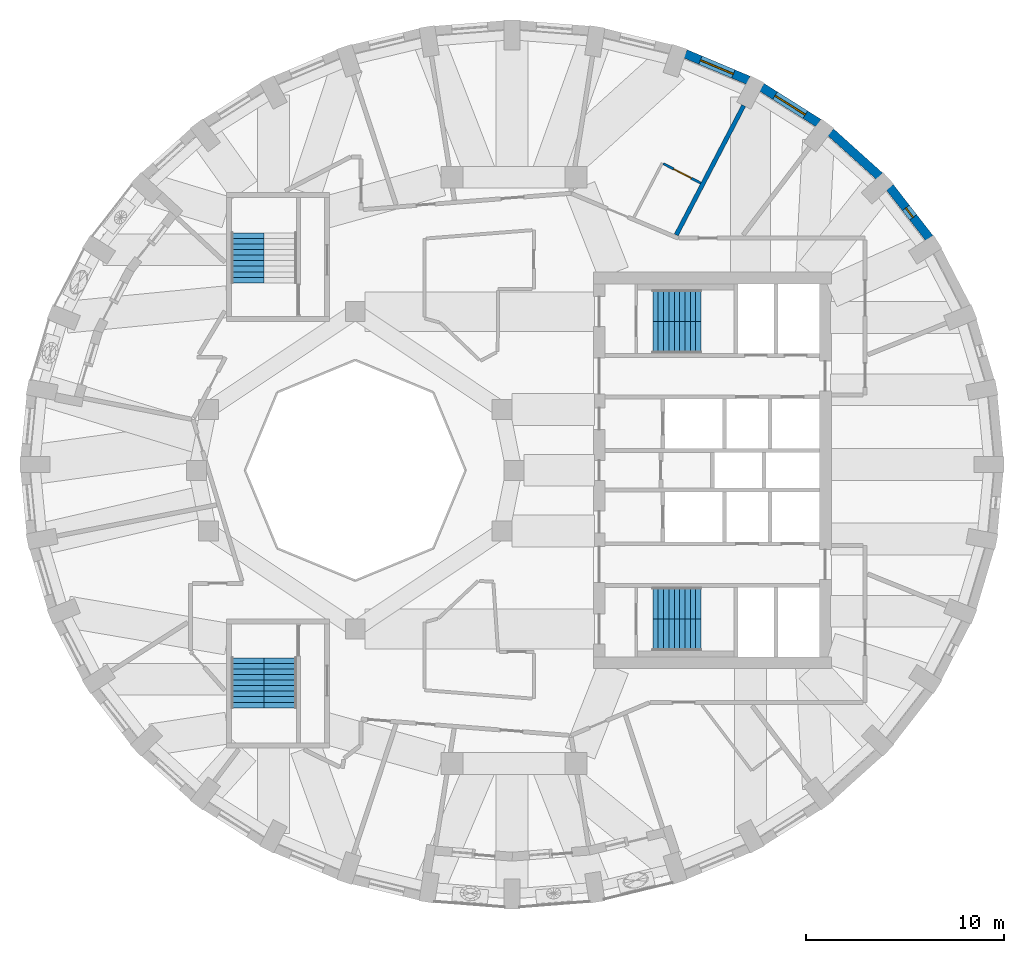
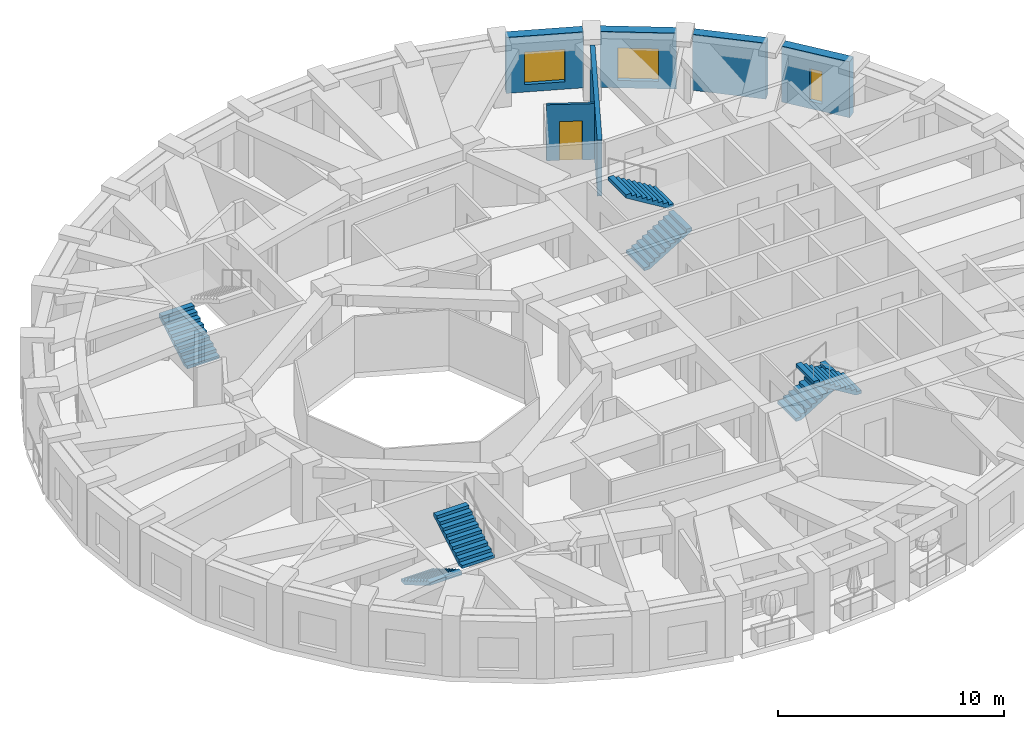
# One storey, part 8 of 12: 7 stair flights, 6 walls, 3 windows, 1 door, 4 openings, 4 elements without a shape of their own.
"""IFC4 building model written with IfcOpenShell, lengths in metres."""

from ifc_helpers import new_model, si_unit, direction, frame, frame_2d, origin, place, context, subcontext, project, spatial, polyline, rectangle, outline, extrude, material, layer, layer_set, type_object, element, fill, aggregate, save


model = new_model("IFC4")

# Units and contexts
model_context = context("Model", 3, precision=1e-05, world=origin(), true_north=direction((0.0, 1.0)))
body_context = subcontext(model_context, "Body", "Model", "MODEL_VIEW")
ifc_project = project(units=[si_unit("LENGTHUNIT", "METRE"), si_unit("AREAUNIT", "SQUARE_METRE"), si_unit("VOLUMEUNIT", "CUBIC_METRE"), si_unit("PLANEANGLEUNIT", "RADIAN"), si_unit("MASSUNIT", "GRAM", prefix="KILO")], contexts=[model_context])

# Site, building, storey
site_placement = place(None, origin())
site = spatial("IfcSite", under=ifc_project, at=site_placement, CompositionType="ELEMENT")
building_placement = place(site_placement, origin())
building = spatial("IfcBuilding", under=site, at=building_placement, Name="Taillehof Tower", CompositionType="ELEMENT")
storey_placement = place(building_placement, frame((0.0, 0.0, 249.800048828125)))
storey = spatial("IfcBuildingStorey", under=building, at=storey_placement, Name="L71", CompositionType="ELEMENT", Elevation=249.800048828125)

# Wall, opening, window
ifc_material_1 = material(Name="Brick masonry", Category="masonry")
ifc_layer_1 = layer(ifc_material_1, 0.449951171875)
ifc_layer_set_1 = layer_set([ifc_layer_1], Name="Brick infill wall 450")
wall_type_1 = type_object("IfcWallType", Name="Brick infill wall 450", PredefinedType="SOLIDWALL", material=ifc_layer_set_1)
wall_1_placement = place(storey_placement, frame((20.93505859375, 11.70849609375, 0.0), z_axis=(0.0, 0.0, 1.0), x_axis=(-0.613862536705, 0.789412937587, 0.0)))
wall_1 = element("IfcWall", 1, at=wall_1_placement, inside=storey, type_object=wall_type_1, Name="Brick wall L71 bay 4", PredefinedType="SOLIDWALL", context=body_context, shape_type="SweptSolid", body=[
    extrude(rectangle(XDim=3.247314453125, YDim=0.449951171875, at=frame_2d((1.62353515625, 0.0))), origin(), (0.0, 0.0, 1.0), 3.02001953125),
])
opening_1_placement = place(wall_1_placement, frame((1.32373046875, 0.0, 0.39990234375)))
opening_1 = element("IfcOpeningElement", 2, at=opening_1_placement, cuts=wall_1, Name="Opening W6", PredefinedType="OPENING", context=body_context, shape_type="SweptSolid", body=[
    extrude(rectangle(XDim=0.60009765625, YDim=1.75, at=frame_2d((0.300048828125, 0.875))), frame((0.0, 0.23486328125, 0.0), z_axis=(0.0, -1.0, 0.0), x_axis=(1.0, 0.0, 0.0)), (0.0, 0.0, 1.0), 0.469970703125),
])
ifc_material_2 = material(Name="Aluminium window frame with clear double glazing", Category="aluminium")
window_type_1 = type_object("IfcWindowType", Name="Slot window 600x1750", PartitioningType="SINGLE_PANEL", PredefinedType="WINDOW", material=ifc_material_2)
window_1_placement = place(opening_1_placement, origin())
window_1 = element("IfcWindow", 3, at=window_1_placement, inside=storey, type_object=window_type_1, Name="W6", OverallHeight=1.75, OverallWidth=0.60009765625, PartitioningType="SINGLE_PANEL", PredefinedType="WINDOW", context=body_context, shape_type="SweptSolid", body=[
    extrude(rectangle(XDim=0.60009765625, YDim=1.75, at=frame_2d((0.300048828125, 0.875))), frame((0.0, 0.034912109375, 0.0), z_axis=(0.0, -1.0, 0.0), x_axis=(1.0, 0.0, 0.0)), (0.0, 0.0, 1.0), 0.06005859375),
])
fill(opening_1, window_1)

# Wall
wall_2_placement = place(storey_placement, frame((18.423828125, 14.828369140625, 0.0), z_axis=(0.0, 0.0, 1.0), x_axis=(-0.743166014219, 0.669107073128, 0.0)))
element("IfcWall", 4, at=wall_2_placement, inside=storey, type_object=wall_type_1, Name="Brick wall L71 bay 5", PredefinedType="SOLIDWALL", context=body_context, shape_type="SweptSolid", body=[
    extrude(rectangle(XDim=3.31640625, YDim=0.449951171875, at=frame_2d((1.658203125, 0.0))), origin(), (0.0, 0.0, 1.0), 3.02001953125),
])

# Wall, opening, window
wall_3_placement = place(storey_placement, frame((15.35302734375, 17.506103515625, 0.0), z_axis=(0.0, 0.0, 1.0), x_axis=(-0.845929139811, 0.53329531258, 0.0)))
wall_3 = element("IfcWall", 5, at=wall_3_placement, inside=storey, type_object=wall_type_1, Name="Brick wall L71 bay 6", PredefinedType="SOLIDWALL", context=body_context, shape_type="SweptSolid", body=[
    extrude(rectangle(XDim=3.384521484375, YDim=0.449951171875, at=frame_2d((1.6923828125, 0.0))), origin(), (0.0, 0.0, 1.0), 3.02001953125),
])
opening_2_placement = place(wall_3_placement, frame((0.792236328125, 0.0, 0.39990234375)))
opening_2 = element("IfcOpeningElement", 6, at=opening_2_placement, cuts=wall_3, Name="Opening W4", PredefinedType="OPENING", context=body_context, shape_type="SweptSolid", body=[
    extrude(rectangle(XDim=1.800048828125, YDim=1.75, at=frame_2d((0.89990234375, 0.875))), frame((0.0, 0.23486328125, 0.0), z_axis=(0.0, -1.0, 0.0), x_axis=(1.0, 0.0, 0.0)), (0.0, 0.0, 1.0), 0.469970703125),
])
ifc_material_3 = material(Name="Aluminium window frame with clear double glazing", Category="aluminium")
window_type_2 = type_object("IfcWindowType", Name="Deep-set window 1800x1750", PartitioningType="SINGLE_PANEL", PredefinedType="WINDOW", material=ifc_material_3)
window_2_placement = place(opening_2_placement, origin())
window_2 = element("IfcWindow", 7, at=window_2_placement, inside=storey, type_object=window_type_2, Name="W4", OverallHeight=1.75, OverallWidth=1.800048828125, PartitioningType="SINGLE_PANEL", PredefinedType="WINDOW", context=body_context, shape_type="SweptSolid", body=[
    extrude(rectangle(XDim=1.800048828125, YDim=1.75, at=frame_2d((0.89990234375, 0.875))), frame((0.0, 0.034912109375, 0.0), z_axis=(0.0, -1.0, 0.0), x_axis=(1.0, 0.0, 0.0)), (0.0, 0.0, 1.0), 0.06005859375),
])
fill(opening_2, window_2)

wall_4_placement = place(storey_placement, frame((11.815673828125, 19.661865234375, 0.0), z_axis=(0.0, 0.0, 1.0), x_axis=(-0.922024627475, 0.387131226239, 0.0)))
wall_4 = element("IfcWall", 8, at=wall_4_placement, inside=storey, type_object=wall_type_1, Name="Brick wall L71 bay 7", PredefinedType="SOLIDWALL", context=body_context, shape_type="SweptSolid", body=[
    extrude(rectangle(XDim=3.443359375, YDim=0.449951171875, at=frame_2d((1.7216796875, 0.0))), origin(), (0.0, 0.0, 1.0), 3.02001953125),
])
opening_3_placement = place(wall_4_placement, frame((0.82177734375, 0.0, 0.39990234375)))
opening_3 = element("IfcOpeningElement", 9, at=opening_3_placement, cuts=wall_4, Name="Opening W4", PredefinedType="OPENING", context=body_context, shape_type="SweptSolid", body=[
    extrude(rectangle(XDim=1.800048828125, YDim=1.75, at=frame_2d((0.89990234375, 0.875))), frame((0.0, 0.23486328125, 0.0), z_axis=(0.0, -1.0, 0.0), x_axis=(1.0, 0.0, 0.0)), (0.0, 0.0, 1.0), 0.469970703125),
])
window_3_placement = place(opening_3_placement, origin())
window_3 = element("IfcWindow", 10, at=window_3_placement, inside=storey, type_object=window_type_2, Name="W4", OverallHeight=1.75, OverallWidth=1.800048828125, PartitioningType="SINGLE_PANEL", PredefinedType="WINDOW", context=body_context, shape_type="SweptSolid", body=[
    extrude(rectangle(XDim=1.800048828125, YDim=1.75, at=frame_2d((0.89990234375, 0.875))), frame((0.0, 0.034912109375, 0.0), z_axis=(0.0, -1.0, 0.0), x_axis=(1.0, 0.0, 0.0)), (0.0, 0.0, 1.0), 0.06005859375),
])
fill(opening_3, window_3)

# Wall
ifc_material_4 = material(Name="Gypsum board on double steel studs with mineral wool", Category="steel")
ifc_layer_2 = layer(ifc_material_4, 0.219970703125)
ifc_layer_set_2 = layer_set([ifc_layer_2], Name="Compartment wall guest room 220")
wall_type_2 = type_object("IfcWallType", Name="Compartment wall guest room 220", PredefinedType="PARTITIONING", material=ifc_layer_set_2)
wall_5_placement = place(storey_placement, frame((11.578125, 18.384521484375, 0.0), z_axis=(0.0, 0.0, 1.0), x_axis=(-0.462372875873, -0.886685583314, 0.0)))
element("IfcWall", 11, at=wall_5_placement, inside=storey, type_object=wall_type_2, Name="Compartment wall", PredefinedType="PARTITIONING", context=body_context, shape_type="SweptSolid", body=[
    extrude(rectangle(XDim=7.3447265625, YDim=0.219970703125, at=frame_2d((3.67236328125, 0.0))), origin(), (0.0, 0.0, 1.0), 3.02001953125),
])

# Wall, opening, door
ifc_material_5 = material(Name="Gypsum board on steel studs, moisture resistant", Category="steel")
ifc_layer_3 = layer(ifc_material_5, 0.1201171875)
ifc_layer_set_3 = layer_set([ifc_layer_3], Name="En-suite wall 120")
wall_type_3 = type_object("IfcWallType", Name="En-suite wall 120", PredefinedType="PARTITIONING", material=ifc_layer_set_3)
wall_6_placement = place(storey_placement, frame((7.52734375, 15.4609375, 0.0), z_axis=(0.0, 0.0, 1.0), x_axis=(0.88668701022, -0.462370139507, 0.0)))
wall_6 = element("IfcWall", 12, at=wall_6_placement, inside=storey, type_object=wall_type_3, Name="En-suite wall", PredefinedType="PARTITIONING", context=body_context, shape_type="SweptSolid", body=[
    extrude(rectangle(XDim=2.130126953125, YDim=0.1201171875, at=frame_2d((1.06494140625, 0.0))), origin(), (0.0, 0.0, 1.0), 3.02001953125),
])
opening_4_placement = place(wall_6_placement, frame((0.590087890625, 0.0, 0.0)))
opening_4 = element("IfcOpeningElement", 13, at=opening_4_placement, cuts=wall_6, Name="Opening D7142", PredefinedType="OPENING", context=body_context, shape_type="SweptSolid", body=[
    extrude(rectangle(XDim=1.0, YDim=2.10009765625, at=frame_2d((0.5, 1.050048828125))), frame((0.0, 0.070068359375, 0.0), z_axis=(0.0, -1.0, 0.0), x_axis=(1.0, 0.0, 0.0)), (0.0, 0.0, 1.0), 0.14013671875),
])
ifc_material_6 = material(Name="Timber door leaf in steel frame", Category="steel")
door_type = type_object("IfcDoorType", Name="Accessible en-suite door 1000 x 2100", OperationType="SINGLE_SWING_LEFT", PredefinedType="DOOR", material=ifc_material_6)
door_placement = place(opening_4_placement, origin())
door = element("IfcDoor", 14, at=door_placement, inside=storey, type_object=door_type, Name="D7142", OperationType="SINGLE_SWING_RIGHT", OverallHeight=2.10009765625, OverallWidth=1.0, PredefinedType="DOOR", context=body_context, shape_type="SweptSolid", body=[
    extrude(rectangle(XDim=1.0, YDim=2.10009765625, at=frame_2d((0.5, 1.050048828125))), frame((0.0, 0.02490234375, 0.0), z_axis=(0.0, -1.0, 0.0), x_axis=(1.0, 0.0, 0.0)), (0.0, 0.0, 1.0), 0.050048828125),
])
fill(opening_4, door)

# Stair, stair flights
ifc_material_7 = material(Name="Concrete C40/50", Category="concrete")
stair_type = type_object("IfcStairType", Name="Exit stair half-turn", PredefinedType="HALF_TURN_STAIR", material=ifc_material_7)
stair_1_placement = place(storey_placement, origin())
stair_1 = element("IfcStair", 15, at=stair_1_placement, inside=storey, type_object=stair_type, Name="Exit stair S1", PredefinedType="HALF_TURN_STAIR")
ifc_material_8 = material(Name="Concrete C40/50", Category="concrete")
stair_flight_type_1 = type_object("IfcStairFlightType", Name="Stair flight 1600 riser 165.0 going 270", PredefinedType="STRAIGHT", material=ifc_material_8)
stair_flight_1_placement = place(storey_placement, frame((7.0, 6.699951171875, 0.0), z_axis=(0.0, 0.0, 1.0), x_axis=(1.0, 0.0, 0.0)))
stair_flight_1 = element("IfcStairFlight", 16, at=stair_flight_1_placement, type_object=stair_flight_type_1, Name="S1 flight 1", NumberOfRisers=10, NumberOfTreads=9, PredefinedType="STRAIGHT", RiserHeight=0.165, TreadLength=0.27, context=body_context, shape_type="SweptSolid", body=[
    extrude(outline(polyline([(0.0, 0.0), (0.0, 0.00537109375), (0.0, 0.0107421875), (0.0, 0.015869140625), (0.0, 0.021240234375), (0.0, 0.026611328125), (0.0, 0.031982421875), (0.0, 0.037353515625), (0.0, 0.04248046875), (0.0, 0.0478515625), (0.0, 0.05322265625), (0.0, 0.05859375), (0.0, 0.06396484375), (0.0, 0.069091796875), (0.0, 0.074462890625), (0.0, 0.079833984375), (0.0, 0.085205078125), (0.0, 0.090576171875), (0.0, 0.095703125), (0.0, 0.10107421875), (0.0, 0.1064453125), (0.0, 0.11181640625), (0.0, 0.1171875), (0.0, 0.122314453125), (0.0, 0.127685546875), (0.0, 0.133056640625), (0.0, 0.138427734375), (0.0, 0.143798828125), (0.0, 0.14892578125), (0.0, 0.154296875), (0.0, 0.15966796875), (0.0, 0.1650390625), (0.27001953125, 0.1650390625), (0.27001953125, 0.330078125), (0.5400390625, 0.330078125), (0.5400390625, 0.4951171875), (0.81005859375, 0.4951171875), (0.81005859375, 0.659912109375), (1.080078125, 0.659912109375), (1.080078125, 0.824951171875), (1.35009765625, 0.824951171875), (1.35009765625, 0.989990234375), (1.6201171875, 0.989990234375), (1.6201171875, 1.155029296875), (1.889892578125, 1.155029296875), (1.889892578125, 1.320068359375), (2.159912109375, 1.320068359375), (2.159912109375, 1.485107421875), (2.429931640625, 1.485107421875), (2.429931640625, 1.479248046875), (2.429931640625, 1.4736328125), (2.429931640625, 1.468017578125), (2.429931640625, 1.46240234375), (2.429931640625, 1.45654296875), (2.429931640625, 1.450927734375), (2.429931640625, 1.4453125), (2.429931640625, 1.439697265625), (2.429931640625, 1.43408203125), (2.429931640625, 1.42822265625), (2.429931640625, 1.422607421875), (2.429931640625, 1.4169921875), (2.429931640625, 1.411376953125), (2.429931640625, 1.40576171875), (2.429931640625, 1.39990234375), (2.429931640625, 1.394287109375), (2.429931640625, 1.388671875), (2.429931640625, 1.383056640625), (2.429931640625, 1.37744140625), (2.429931640625, 1.37158203125), (2.429931640625, 1.365966796875), (2.429931640625, 1.3603515625), (2.429931640625, 1.354736328125), (2.429931640625, 1.348876953125), (2.429931640625, 1.34326171875), (2.429931640625, 1.337646484375), (2.429931640625, 1.33203125), (2.429931640625, 1.326416015625), (2.429931640625, 1.320556640625), (2.429931640625, 1.31494140625), (2.429931640625, 1.309326171875), (0.287353515625, 0.0), (0.0, 0.0)])), frame((0.0, 0.800048828125, 0.0), z_axis=(0.0, -1.0, 0.0), x_axis=(1.0, 0.0, 0.0)), (0.0, 0.0, 1.0), 1.6),
])
stair_flight_2_placement = place(storey_placement, frame((9.429931640625, 8.300048828125, 1.64990234375), z_axis=(0.0, 0.0, 1.0), x_axis=(-1.0, 0.0, 0.0)))
stair_flight_2 = element("IfcStairFlight", 17, at=stair_flight_2_placement, type_object=stair_flight_type_1, Name="S1 flight 2", NumberOfRisers=10, NumberOfTreads=9, PredefinedType="STRAIGHT", RiserHeight=0.165, TreadLength=0.27, context=body_context, shape_type="SweptSolid", body=[
    extrude(outline(polyline([(0.0, 0.0), (0.0, 0.00537109375), (0.0, 0.0107421875), (0.0, 0.015869140625), (0.0, 0.021240234375), (0.0, 0.026611328125), (0.0, 0.031982421875), (0.0, 0.037353515625), (0.0, 0.04248046875), (0.0, 0.0478515625), (0.0, 0.05322265625), (0.0, 0.05859375), (0.0, 0.06396484375), (0.0, 0.069091796875), (0.0, 0.074462890625), (0.0, 0.079833984375), (0.0, 0.085205078125), (0.0, 0.090576171875), (0.0, 0.095703125), (0.0, 0.10107421875), (0.0, 0.1064453125), (0.0, 0.11181640625), (0.0, 0.1171875), (0.0, 0.122314453125), (0.0, 0.127685546875), (0.0, 0.133056640625), (0.0, 0.138427734375), (0.0, 0.143798828125), (0.0, 0.14892578125), (0.0, 0.154296875), (0.0, 0.15966796875), (0.0, 0.1650390625), (0.27001953125, 0.1650390625), (0.27001953125, 0.330078125), (0.5400390625, 0.330078125), (0.5400390625, 0.4951171875), (0.81005859375, 0.4951171875), (0.81005859375, 0.659912109375), (1.080078125, 0.659912109375), (1.080078125, 0.824951171875), (1.35009765625, 0.824951171875), (1.35009765625, 0.989990234375), (1.6201171875, 0.989990234375), (1.6201171875, 1.155029296875), (1.889892578125, 1.155029296875), (1.889892578125, 1.320068359375), (2.159912109375, 1.320068359375), (2.159912109375, 1.485107421875), (2.429931640625, 1.485107421875), (2.429931640625, 1.479248046875), (2.429931640625, 1.4736328125), (2.429931640625, 1.468017578125), (2.429931640625, 1.46240234375), (2.429931640625, 1.45654296875), (2.429931640625, 1.450927734375), (2.429931640625, 1.4453125), (2.429931640625, 1.439697265625), (2.429931640625, 1.43408203125), (2.429931640625, 1.42822265625), (2.429931640625, 1.422607421875), (2.429931640625, 1.4169921875), (2.429931640625, 1.411376953125), (2.429931640625, 1.40576171875), (2.429931640625, 1.39990234375), (2.429931640625, 1.394287109375), (2.429931640625, 1.388671875), (2.429931640625, 1.383056640625), (2.429931640625, 1.37744140625), (2.429931640625, 1.37158203125), (2.429931640625, 1.365966796875), (2.429931640625, 1.3603515625), (2.429931640625, 1.354736328125), (2.429931640625, 1.348876953125), (2.429931640625, 1.34326171875), (2.429931640625, 1.337646484375), (2.429931640625, 1.33203125), (2.429931640625, 1.326416015625), (2.429931640625, 1.320556640625), (2.429931640625, 1.31494140625), (2.429931640625, 1.309326171875), (0.287353515625, 0.0), (0.0, 0.0)])), frame((0.0, 0.800048828125, 0.0), z_axis=(0.0, -1.0, 0.0), x_axis=(1.0, 0.0, 0.0)), (0.0, 0.0, 1.0), 1.6),
])
aggregate(stair_1, [stair_flight_1, stair_flight_2])

stair_2_placement = place(storey_placement, origin())
stair_2 = element("IfcStair", 18, at=stair_2_placement, inside=storey, type_object=stair_type, Name="Exit stair S2", PredefinedType="HALF_TURN_STAIR")
stair_flight_3_placement = place(storey_placement, frame((7.0, -6.699951171875, 0.0), z_axis=(0.0, 0.0, 1.0), x_axis=(1.0, 0.0, 0.0)))
stair_flight_3 = element("IfcStairFlight", 19, at=stair_flight_3_placement, type_object=stair_flight_type_1, Name="S2 flight 1", NumberOfRisers=10, NumberOfTreads=9, PredefinedType="STRAIGHT", RiserHeight=0.165, TreadLength=0.27, context=body_context, shape_type="SweptSolid", body=[
    extrude(outline(polyline([(0.0, 0.0), (0.0, 0.00537109375), (0.0, 0.0107421875), (0.0, 0.015869140625), (0.0, 0.021240234375), (0.0, 0.026611328125), (0.0, 0.031982421875), (0.0, 0.037353515625), (0.0, 0.04248046875), (0.0, 0.0478515625), (0.0, 0.05322265625), (0.0, 0.05859375), (0.0, 0.06396484375), (0.0, 0.069091796875), (0.0, 0.074462890625), (0.0, 0.079833984375), (0.0, 0.085205078125), (0.0, 0.090576171875), (0.0, 0.095703125), (0.0, 0.10107421875), (0.0, 0.1064453125), (0.0, 0.11181640625), (0.0, 0.1171875), (0.0, 0.122314453125), (0.0, 0.127685546875), (0.0, 0.133056640625), (0.0, 0.138427734375), (0.0, 0.143798828125), (0.0, 0.14892578125), (0.0, 0.154296875), (0.0, 0.15966796875), (0.0, 0.1650390625), (0.27001953125, 0.1650390625), (0.27001953125, 0.330078125), (0.5400390625, 0.330078125), (0.5400390625, 0.4951171875), (0.81005859375, 0.4951171875), (0.81005859375, 0.659912109375), (1.080078125, 0.659912109375), (1.080078125, 0.824951171875), (1.35009765625, 0.824951171875), (1.35009765625, 0.989990234375), (1.6201171875, 0.989990234375), (1.6201171875, 1.155029296875), (1.889892578125, 1.155029296875), (1.889892578125, 1.320068359375), (2.159912109375, 1.320068359375), (2.159912109375, 1.485107421875), (2.429931640625, 1.485107421875), (2.429931640625, 1.479248046875), (2.429931640625, 1.4736328125), (2.429931640625, 1.468017578125), (2.429931640625, 1.46240234375), (2.429931640625, 1.45654296875), (2.429931640625, 1.450927734375), (2.429931640625, 1.4453125), (2.429931640625, 1.439697265625), (2.429931640625, 1.43408203125), (2.429931640625, 1.42822265625), (2.429931640625, 1.422607421875), (2.429931640625, 1.4169921875), (2.429931640625, 1.411376953125), (2.429931640625, 1.40576171875), (2.429931640625, 1.39990234375), (2.429931640625, 1.394287109375), (2.429931640625, 1.388671875), (2.429931640625, 1.383056640625), (2.429931640625, 1.37744140625), (2.429931640625, 1.37158203125), (2.429931640625, 1.365966796875), (2.429931640625, 1.3603515625), (2.429931640625, 1.354736328125), (2.429931640625, 1.348876953125), (2.429931640625, 1.34326171875), (2.429931640625, 1.337646484375), (2.429931640625, 1.33203125), (2.429931640625, 1.326416015625), (2.429931640625, 1.320556640625), (2.429931640625, 1.31494140625), (2.429931640625, 1.309326171875), (0.287353515625, 0.0), (0.0, 0.0)])), frame((0.0, 0.800048828125, 0.0), z_axis=(0.0, -1.0, 0.0), x_axis=(1.0, 0.0, 0.0)), (0.0, 0.0, 1.0), 1.6),
])
stair_flight_4_placement = place(storey_placement, frame((9.429931640625, -8.300048828125, 1.64990234375), z_axis=(0.0, 0.0, 1.0), x_axis=(-1.0, 0.0, 0.0)))
stair_flight_4 = element("IfcStairFlight", 20, at=stair_flight_4_placement, type_object=stair_flight_type_1, Name="S2 flight 2", NumberOfRisers=10, NumberOfTreads=9, PredefinedType="STRAIGHT", RiserHeight=0.165, TreadLength=0.27, context=body_context, shape_type="SweptSolid", body=[
    extrude(outline(polyline([(0.0, 0.0), (0.0, 0.00537109375), (0.0, 0.0107421875), (0.0, 0.015869140625), (0.0, 0.021240234375), (0.0, 0.026611328125), (0.0, 0.031982421875), (0.0, 0.037353515625), (0.0, 0.04248046875), (0.0, 0.0478515625), (0.0, 0.05322265625), (0.0, 0.05859375), (0.0, 0.06396484375), (0.0, 0.069091796875), (0.0, 0.074462890625), (0.0, 0.079833984375), (0.0, 0.085205078125), (0.0, 0.090576171875), (0.0, 0.095703125), (0.0, 0.10107421875), (0.0, 0.1064453125), (0.0, 0.11181640625), (0.0, 0.1171875), (0.0, 0.122314453125), (0.0, 0.127685546875), (0.0, 0.133056640625), (0.0, 0.138427734375), (0.0, 0.143798828125), (0.0, 0.14892578125), (0.0, 0.154296875), (0.0, 0.15966796875), (0.0, 0.1650390625), (0.27001953125, 0.1650390625), (0.27001953125, 0.330078125), (0.5400390625, 0.330078125), (0.5400390625, 0.4951171875), (0.81005859375, 0.4951171875), (0.81005859375, 0.659912109375), (1.080078125, 0.659912109375), (1.080078125, 0.824951171875), (1.35009765625, 0.824951171875), (1.35009765625, 0.989990234375), (1.6201171875, 0.989990234375), (1.6201171875, 1.155029296875), (1.889892578125, 1.155029296875), (1.889892578125, 1.320068359375), (2.159912109375, 1.320068359375), (2.159912109375, 1.485107421875), (2.429931640625, 1.485107421875), (2.429931640625, 1.479248046875), (2.429931640625, 1.4736328125), (2.429931640625, 1.468017578125), (2.429931640625, 1.46240234375), (2.429931640625, 1.45654296875), (2.429931640625, 1.450927734375), (2.429931640625, 1.4453125), (2.429931640625, 1.439697265625), (2.429931640625, 1.43408203125), (2.429931640625, 1.42822265625), (2.429931640625, 1.422607421875), (2.429931640625, 1.4169921875), (2.429931640625, 1.411376953125), (2.429931640625, 1.40576171875), (2.429931640625, 1.39990234375), (2.429931640625, 1.394287109375), (2.429931640625, 1.388671875), (2.429931640625, 1.383056640625), (2.429931640625, 1.37744140625), (2.429931640625, 1.37158203125), (2.429931640625, 1.365966796875), (2.429931640625, 1.3603515625), (2.429931640625, 1.354736328125), (2.429931640625, 1.348876953125), (2.429931640625, 1.34326171875), (2.429931640625, 1.337646484375), (2.429931640625, 1.33203125), (2.429931640625, 1.326416015625), (2.429931640625, 1.320556640625), (2.429931640625, 1.31494140625), (2.429931640625, 1.309326171875), (0.287353515625, 0.0), (0.0, 0.0)])), frame((0.0, 0.800048828125, 0.0), z_axis=(0.0, -1.0, 0.0), x_axis=(1.0, 0.0, 0.0)), (0.0, 0.0, 1.0), 1.6),
])
aggregate(stair_2, [stair_flight_3, stair_flight_4])

# Stair, stair flight
stair_3_placement = place(storey_placement, origin())
stair_3 = element("IfcStair", 21, at=stair_3_placement, inside=storey, type_object=stair_type, Name="Exit stair S3", PredefinedType="HALF_TURN_STAIR")
ifc_material_9 = material(Name="Concrete C40/50", Category="concrete")
stair_flight_type_2 = type_object("IfcStairFlightType", Name="Stair flight 1650 riser 165.0 going 280", PredefinedType="STRAIGHT", material=ifc_material_9)
stair_flight_5_placement = place(storey_placement, frame((-13.425048828125, 9.449951171875, 0.0), z_axis=(0.0, 0.0, 1.0), x_axis=(0.0, 1.0, 0.0)))
stair_flight_5 = element("IfcStairFlight", 22, at=stair_flight_5_placement, type_object=stair_flight_type_2, Name="S3 flight 1", NumberOfRisers=10, NumberOfTreads=9, PredefinedType="STRAIGHT", RiserHeight=0.165, TreadLength=0.28, context=body_context, shape_type="SweptSolid", body=[
    extrude(outline(polyline([(0.0, 0.0), (0.0, 0.00537109375), (0.0, 0.0107421875), (0.0, 0.015869140625), (0.0, 0.021240234375), (0.0, 0.026611328125), (0.0, 0.031982421875), (0.0, 0.037353515625), (0.0, 0.04248046875), (0.0, 0.0478515625), (0.0, 0.05322265625), (0.0, 0.05859375), (0.0, 0.06396484375), (0.0, 0.069091796875), (0.0, 0.074462890625), (0.0, 0.079833984375), (0.0, 0.085205078125), (0.0, 0.090576171875), (0.0, 0.095703125), (0.0, 0.10107421875), (0.0, 0.1064453125), (0.0, 0.11181640625), (0.0, 0.1171875), (0.0, 0.122314453125), (0.0, 0.127685546875), (0.0, 0.133056640625), (0.0, 0.138427734375), (0.0, 0.143798828125), (0.0, 0.14892578125), (0.0, 0.154296875), (0.0, 0.15966796875), (0.0, 0.1650390625), (0.280029296875, 0.1650390625), (0.280029296875, 0.330078125), (0.56005859375, 0.330078125), (0.56005859375, 0.4951171875), (0.840087890625, 0.4951171875), (0.840087890625, 0.659912109375), (1.1201171875, 0.659912109375), (1.1201171875, 0.824951171875), (1.39990234375, 0.824951171875), (1.39990234375, 0.989990234375), (1.679931640625, 0.989990234375), (1.679931640625, 1.155029296875), (1.9599609375, 1.155029296875), (1.9599609375, 1.320068359375), (2.239990234375, 1.320068359375), (2.239990234375, 1.485107421875), (2.52001953125, 1.485107421875), (2.52001953125, 1.4794921875), (2.52001953125, 1.473876953125), (2.52001953125, 1.46826171875), (2.52001953125, 1.462646484375), (2.52001953125, 1.45703125), (2.52001953125, 1.451416015625), (2.52001953125, 1.44580078125), (2.52001953125, 1.440185546875), (2.52001953125, 1.4345703125), (2.52001953125, 1.428955078125), (2.52001953125, 1.42333984375), (2.52001953125, 1.417724609375), (2.52001953125, 1.412109375), (2.52001953125, 1.406494140625), (2.52001953125, 1.40087890625), (2.52001953125, 1.395263671875), (2.52001953125, 1.3896484375), (2.52001953125, 1.384033203125), (2.52001953125, 1.37841796875), (2.52001953125, 1.372802734375), (2.52001953125, 1.3671875), (2.52001953125, 1.361572265625), (2.52001953125, 1.35595703125), (2.52001953125, 1.350341796875), (2.52001953125, 1.3447265625), (2.52001953125, 1.339111328125), (2.52001953125, 1.33349609375), (2.52001953125, 1.327880859375), (2.52001953125, 1.322265625), (2.52001953125, 1.316650390625), (2.52001953125, 1.31103515625), (0.295166015625, 0.0), (0.0, 0.0)])), frame((0.0, 0.824951171875, 0.0), z_axis=(0.0, -1.0, 0.0), x_axis=(1.0, 0.0, 0.0)), (0.0, 0.0, 1.0), 1.65),
])
aggregate(stair_3, [stair_flight_5])

# Stair, stair flights
stair_4_placement = place(storey_placement, origin())
stair_4 = element("IfcStair", 23, at=stair_4_placement, inside=storey, type_object=stair_type, Name="Exit stair S4", PredefinedType="HALF_TURN_STAIR")
stair_flight_6_placement = place(storey_placement, frame((-13.425048828125, -9.449951171875, 0.0), z_axis=(0.0, 0.0, 1.0), x_axis=(0.0, -1.0, 0.0)))
stair_flight_6 = element("IfcStairFlight", 24, at=stair_flight_6_placement, type_object=stair_flight_type_2, Name="S4 flight 1", NumberOfRisers=10, NumberOfTreads=9, PredefinedType="STRAIGHT", RiserHeight=0.165, TreadLength=0.28, context=body_context, shape_type="SweptSolid", body=[
    extrude(outline(polyline([(0.0, 0.0), (0.0, 0.00537109375), (0.0, 0.0107421875), (0.0, 0.015869140625), (0.0, 0.021240234375), (0.0, 0.026611328125), (0.0, 0.031982421875), (0.0, 0.037353515625), (0.0, 0.04248046875), (0.0, 0.0478515625), (0.0, 0.05322265625), (0.0, 0.05859375), (0.0, 0.06396484375), (0.0, 0.069091796875), (0.0, 0.074462890625), (0.0, 0.079833984375), (0.0, 0.085205078125), (0.0, 0.090576171875), (0.0, 0.095703125), (0.0, 0.10107421875), (0.0, 0.1064453125), (0.0, 0.11181640625), (0.0, 0.1171875), (0.0, 0.122314453125), (0.0, 0.127685546875), (0.0, 0.133056640625), (0.0, 0.138427734375), (0.0, 0.143798828125), (0.0, 0.14892578125), (0.0, 0.154296875), (0.0, 0.15966796875), (0.0, 0.1650390625), (0.280029296875, 0.1650390625), (0.280029296875, 0.330078125), (0.56005859375, 0.330078125), (0.56005859375, 0.4951171875), (0.840087890625, 0.4951171875), (0.840087890625, 0.659912109375), (1.1201171875, 0.659912109375), (1.1201171875, 0.824951171875), (1.39990234375, 0.824951171875), (1.39990234375, 0.989990234375), (1.679931640625, 0.989990234375), (1.679931640625, 1.155029296875), (1.9599609375, 1.155029296875), (1.9599609375, 1.320068359375), (2.239990234375, 1.320068359375), (2.239990234375, 1.485107421875), (2.52001953125, 1.485107421875), (2.52001953125, 1.4794921875), (2.52001953125, 1.473876953125), (2.52001953125, 1.46826171875), (2.52001953125, 1.462646484375), (2.52001953125, 1.45703125), (2.52001953125, 1.451416015625), (2.52001953125, 1.44580078125), (2.52001953125, 1.440185546875), (2.52001953125, 1.4345703125), (2.52001953125, 1.428955078125), (2.52001953125, 1.42333984375), (2.52001953125, 1.417724609375), (2.52001953125, 1.412109375), (2.52001953125, 1.406494140625), (2.52001953125, 1.40087890625), (2.52001953125, 1.395263671875), (2.52001953125, 1.3896484375), (2.52001953125, 1.384033203125), (2.52001953125, 1.37841796875), (2.52001953125, 1.372802734375), (2.52001953125, 1.3671875), (2.52001953125, 1.361572265625), (2.52001953125, 1.35595703125), (2.52001953125, 1.350341796875), (2.52001953125, 1.3447265625), (2.52001953125, 1.339111328125), (2.52001953125, 1.33349609375), (2.52001953125, 1.327880859375), (2.52001953125, 1.322265625), (2.52001953125, 1.316650390625), (2.52001953125, 1.31103515625), (0.295166015625, 0.0), (0.0, 0.0)])), frame((0.0, 0.824951171875, 0.0), z_axis=(0.0, -1.0, 0.0), x_axis=(1.0, 0.0, 0.0)), (0.0, 0.0, 1.0), 1.65),
])
stair_flight_7_placement = place(storey_placement, frame((-11.77490234375, -11.969970703125, 1.64990234375), z_axis=(0.0, 0.0, 1.0), x_axis=(0.0, 1.0, 0.0)))
stair_flight_7 = element("IfcStairFlight", 25, at=stair_flight_7_placement, type_object=stair_flight_type_2, Name="S4 flight 2", NumberOfRisers=10, NumberOfTreads=9, PredefinedType="STRAIGHT", RiserHeight=0.165, TreadLength=0.28, context=body_context, shape_type="SweptSolid", body=[
    extrude(outline(polyline([(0.0, 0.0), (0.0, 0.00537109375), (0.0, 0.0107421875), (0.0, 0.015869140625), (0.0, 0.021240234375), (0.0, 0.026611328125), (0.0, 0.031982421875), (0.0, 0.037353515625), (0.0, 0.04248046875), (0.0, 0.0478515625), (0.0, 0.05322265625), (0.0, 0.05859375), (0.0, 0.06396484375), (0.0, 0.069091796875), (0.0, 0.074462890625), (0.0, 0.079833984375), (0.0, 0.085205078125), (0.0, 0.090576171875), (0.0, 0.095703125), (0.0, 0.10107421875), (0.0, 0.1064453125), (0.0, 0.11181640625), (0.0, 0.1171875), (0.0, 0.122314453125), (0.0, 0.127685546875), (0.0, 0.133056640625), (0.0, 0.138427734375), (0.0, 0.143798828125), (0.0, 0.14892578125), (0.0, 0.154296875), (0.0, 0.15966796875), (0.0, 0.1650390625), (0.280029296875, 0.1650390625), (0.280029296875, 0.330078125), (0.56005859375, 0.330078125), (0.56005859375, 0.4951171875), (0.840087890625, 0.4951171875), (0.840087890625, 0.659912109375), (1.1201171875, 0.659912109375), (1.1201171875, 0.824951171875), (1.39990234375, 0.824951171875), (1.39990234375, 0.989990234375), (1.679931640625, 0.989990234375), (1.679931640625, 1.155029296875), (1.9599609375, 1.155029296875), (1.9599609375, 1.320068359375), (2.239990234375, 1.320068359375), (2.239990234375, 1.485107421875), (2.52001953125, 1.485107421875), (2.52001953125, 1.4794921875), (2.52001953125, 1.473876953125), (2.52001953125, 1.46826171875), (2.52001953125, 1.462646484375), (2.52001953125, 1.45703125), (2.52001953125, 1.451416015625), (2.52001953125, 1.44580078125), (2.52001953125, 1.440185546875), (2.52001953125, 1.4345703125), (2.52001953125, 1.428955078125), (2.52001953125, 1.42333984375), (2.52001953125, 1.417724609375), (2.52001953125, 1.412109375), (2.52001953125, 1.406494140625), (2.52001953125, 1.40087890625), (2.52001953125, 1.395263671875), (2.52001953125, 1.3896484375), (2.52001953125, 1.384033203125), (2.52001953125, 1.37841796875), (2.52001953125, 1.372802734375), (2.52001953125, 1.3671875), (2.52001953125, 1.361572265625), (2.52001953125, 1.35595703125), (2.52001953125, 1.350341796875), (2.52001953125, 1.3447265625), (2.52001953125, 1.339111328125), (2.52001953125, 1.33349609375), (2.52001953125, 1.327880859375), (2.52001953125, 1.322265625), (2.52001953125, 1.316650390625), (2.52001953125, 1.31103515625), (0.295166015625, 0.0), (0.0, 0.0)])), frame((0.0, 0.824951171875, 0.0), z_axis=(0.0, -1.0, 0.0), x_axis=(1.0, 0.0, 0.0)), (0.0, 0.0, 1.0), 1.65),
])
aggregate(stair_4, [stair_flight_6, stair_flight_7])

save(model, "model.ifc")
